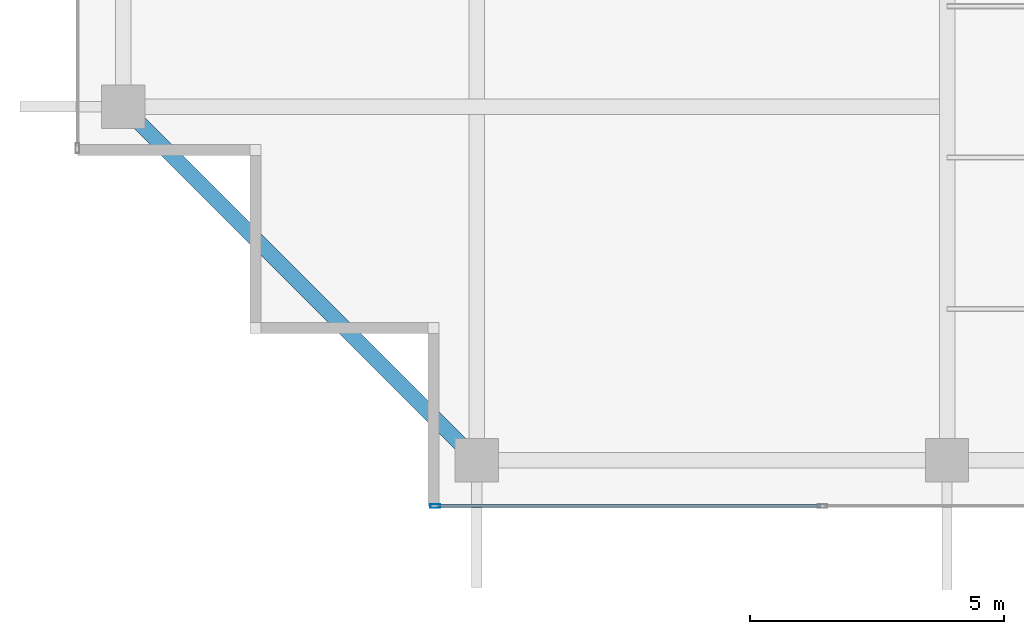
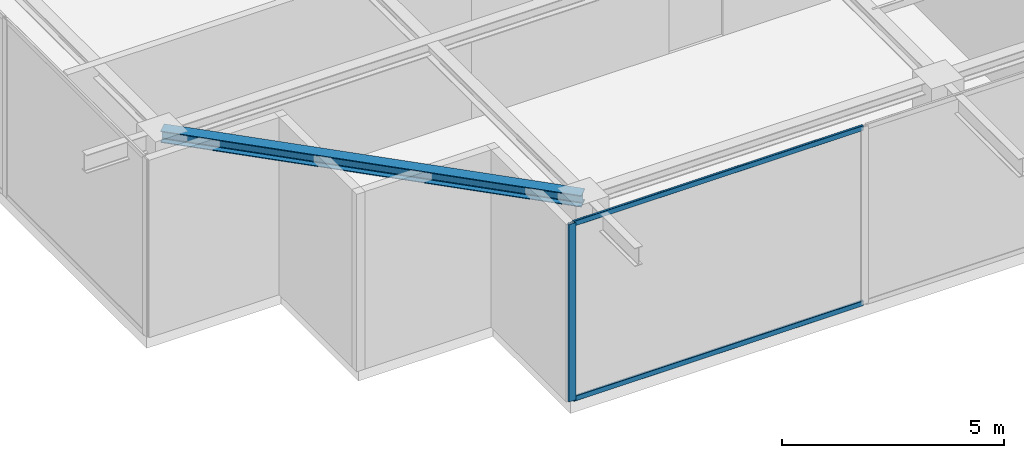
# One storey, part 2 of 27: 3 members, 1 beam, 1 element without a shape of its own.
"""IFC4 building model written with IfcOpenShell, lengths in metres."""

from ifc_helpers import new_model, si_unit, direction, frame, origin, origin_2d, place, context, subcontext, project, spatial, hollow_rectangle, i_section, extrude, source, transform, mapped, material, layer, layer_set, material_profile, profile_set, type_object, element, aggregate, save


model = new_model("IFC4")

# Units and contexts
model_context = context("Model", 3, precision=1e-05, world=origin(), true_north=direction((0.0, 1.0)))
body_context = subcontext(model_context, "Body", "Model", "MODEL_VIEW")
ifc_project = project(units=[si_unit("LENGTHUNIT", "METRE"), si_unit("AREAUNIT", "SQUARE_METRE"), si_unit("VOLUMEUNIT", "CUBIC_METRE"), si_unit("PLANEANGLEUNIT", "RADIAN"), si_unit("MASSUNIT", "GRAM", prefix="KILO")], contexts=[model_context])

# Site, building, storey
site_placement = place(None, origin())
site = spatial("IfcSite", under=ifc_project, at=site_placement, CompositionType="ELEMENT")
building_placement = place(site_placement, origin())
building = spatial("IfcBuilding", under=site, at=building_placement, Name="Serunith Strait Residences", CompositionType="ELEMENT")
storey_placement = place(building_placement, frame((0.0, 0.0, 365.75)))
storey = spatial("IfcBuildingStorey", under=building, at=storey_placement, Name="L89", CompositionType="ELEMENT", Elevation=365.75)

# Beam
ifc_material_1 = material(Name="Steel S355J2", Category="steel")
ifc_material_profile_1 = material_profile(ifc_material_1, i_section(OverallWidth=0.300048828125, OverallDepth=0.320068359375, WebThickness=0.011474609375, FlangeThickness=0.0205078125, FilletRadius=0.027099609375, at=origin_2d()), Name="HEB 320")
ifc_profile_set_1 = profile_set([ifc_material_profile_1], Name="Steel S355J2")
beam_type = type_object("IfcBeamType", Name="BM-HEB320", PredefinedType="BEAM", material=ifc_profile_set_1)
shared_shape_1 = source(origin(), body_context, "Body", "SweptSolid", [
    extrude(i_section(OverallWidth=0.300048828125, OverallDepth=0.320068359375, WebThickness=0.011474609375, FlangeThickness=0.0205078125, FilletRadius=0.027099609375, at=origin_2d()), origin(), (0.0, 0.0, 1.0), 9.828857421875),
])
beam_placement = place(storey_placement, frame((11.699951171875, 11.85009765625, 4.737060546875), z_axis=(0.707094361533, -0.707119200622, 0.0), x_axis=(0.707119200622, 0.707094361533, 0.0)))
element("IfcBeam", 1, at=beam_placement, inside=storey, type_object=beam_type, Name="L89 Perimeter Ring Beam 16", PredefinedType="BEAM", context=body_context, shape_type="MappedRepresentation", body=[
    mapped(shared_shape_1, transform((0.0, 0.0, 0.0), scale=1.0)),
])

# Curtain wall, members
ifc_material_2 = material(Name="Pale-Silver Anodised Aluminium", Category="aluminium")
ifc_layer = layer(ifc_material_2, 0.199951171875, Name="Pale-Silver Anodised Aluminium")
ifc_layer_set = layer_set([ifc_layer], Name="Pale-Silver Anodised Aluminium")
curtain_wall_type = type_object("IfcCurtainWallType", Name="CW-SYS7", PredefinedType="NOTDEFINED", material=ifc_layer_set)
curtain_wall_placement = place(storey_placement, origin())
curtain_wall = element("IfcCurtainWall", 2, at=curtain_wall_placement, inside=storey, type_object=curtain_wall_type, Name="L89 S Unitised Fritted Curtain Wall", PredefinedType="NOTDEFINED")
ifc_material_profile_2 = material_profile(ifc_material_2, hollow_rectangle(XDim=0.072021484375, YDim=0.195068359375, WallThickness=0.00390625, InnerFilletRadius=0.006103515625, OuterFilletRadius=0.010009765625, at=origin_2d()), Name="ALU 195x72x4")
ifc_profile_set_2 = profile_set([ifc_material_profile_2], Name="Pale-Silver Anodised Aluminium")
member_type_1 = type_object("IfcMemberType", Name="CW-SYS7-MULL", PredefinedType="MULLION", material=ifc_profile_set_2)
shared_shape_2 = source(origin(), body_context, "Body", "SweptSolid", [
    extrude(hollow_rectangle(XDim=0.072021484375, YDim=0.195068359375, WallThickness=0.00390625, InnerFilletRadius=0.006103515625, OuterFilletRadius=0.010009765625, at=origin_2d()), origin(), (0.0, 0.0, 1.0), 4.885009765625),
])
member_1_placement = place(storey_placement, frame((17.8359375, 4.0, 0.0), z_axis=(0.0, 0.0, 1.0), x_axis=(0.0, 1.0, 0.0)))
member_1 = element("IfcMember", 3, at=member_1_placement, type_object=member_type_1, Name="CW-7 mullion 1", PredefinedType="MULLION", context=body_context, shape_type="MappedRepresentation", body=[
    mapped(shared_shape_2, transform((0.0, 0.0, 0.0), scale=1.0)),
])
ifc_material_profile_3 = material_profile(ifc_material_2, hollow_rectangle(XDim=0.06005859375, YDim=0.139892578125, WallThickness=0.00341796875, InnerFilletRadius=0.00537109375, OuterFilletRadius=0.0087890625, at=origin_2d()), Name="ALU 140x60x3.5")
ifc_profile_set_3 = profile_set([ifc_material_profile_3], Name="Pale-Silver Anodised Aluminium")
member_type_2 = type_object("IfcMemberType", Name="CW-SYS7-TRAN", PredefinedType="USERDEFINED", material=ifc_profile_set_3)
shared_shape_3 = source(origin(), body_context, "Body", "SweptSolid", [
    extrude(hollow_rectangle(XDim=0.06005859375, YDim=0.139892578125, WallThickness=0.00341796875, InnerFilletRadius=0.00537109375, OuterFilletRadius=0.0087890625, at=origin_2d()), origin(), (0.0, 0.0, 1.0), 7.5419921875),
])
member_2_placement = place(storey_placement, frame((17.8720703125, 4.0, 0.030029296875), z_axis=(1.0, 0.0, 0.0), x_axis=(0.0, 1.0, 0.0)))
member_2 = element("IfcMember", 4, at=member_2_placement, type_object=member_type_2, Name="CW-7 transom 1.1", ObjectType="TRANSOM", PredefinedType="USERDEFINED", context=body_context, shape_type="MappedRepresentation", body=[
    mapped(shared_shape_3, transform((0.0, 0.0, 0.0), scale=1.0)),
])
member_3_placement = place(storey_placement, frame((17.8720703125, 4.0, 4.85498046875), z_axis=(1.0, 0.0, 0.0), x_axis=(0.0, 1.0, 0.0)))
member_3 = element("IfcMember", 5, at=member_3_placement, type_object=member_type_2, Name="CW-7 transom 1.2", ObjectType="TRANSOM", PredefinedType="USERDEFINED", context=body_context, shape_type="MappedRepresentation", body=[
    mapped(shared_shape_3, transform((0.0, 0.0, 0.0), scale=1.0)),
])
aggregate(curtain_wall, [member_1, member_2, member_3])

save(model, "model.ifc")
